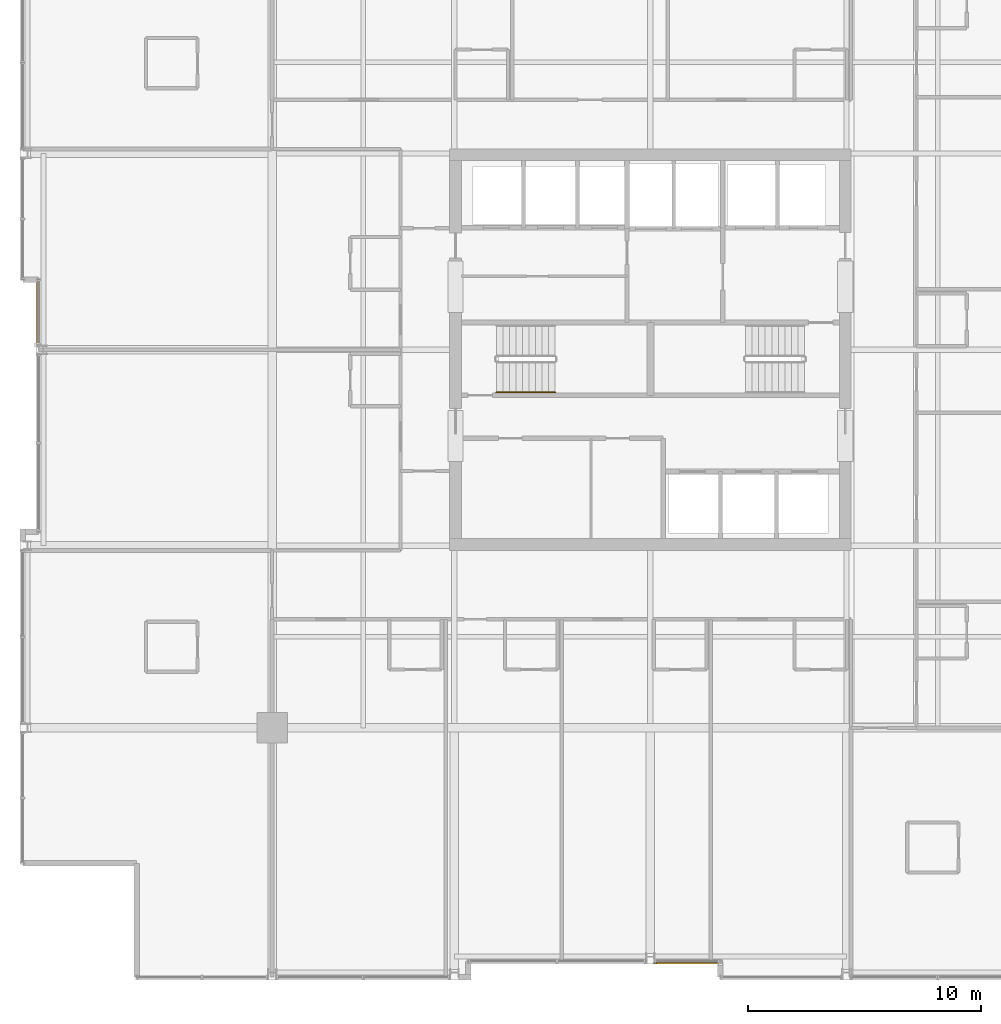
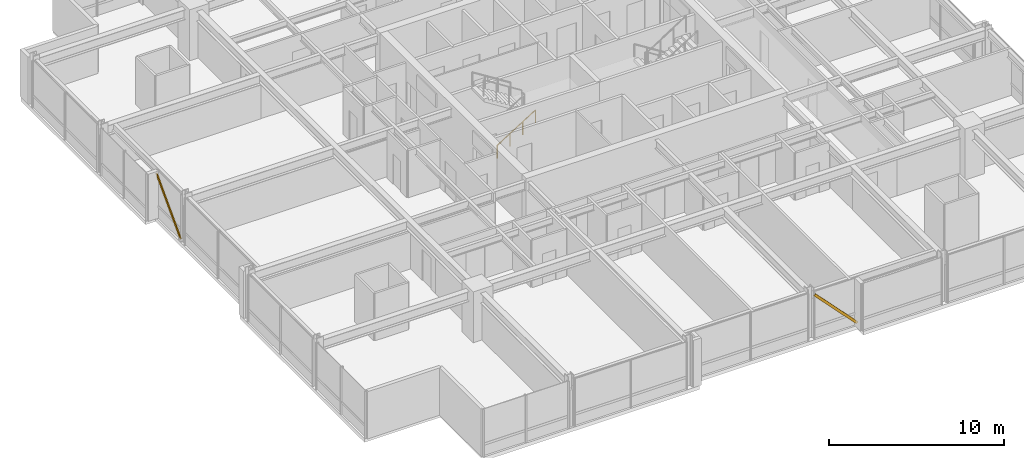
# One storey, part 32 of 34: 2 shading devices, 1 railing.
"""IFC4 building model written with IfcOpenShell, lengths in metres."""

from ifc_helpers import new_model, si_unit, direction, frame, origin, origin_2d, place, context, subcontext, project, spatial, hollow_rectangle, circle, extrude, material, material_profile, profile_set, type_object, element, save


model = new_model("IFC4")

# Units and contexts
model_context = context("Model", 3, precision=1e-05, world=origin(), true_north=direction((0.0, 1.0)))
body_context = subcontext(model_context, "Body", "Model", "MODEL_VIEW")
ifc_project = project(units=[si_unit("LENGTHUNIT", "METRE"), si_unit("AREAUNIT", "SQUARE_METRE"), si_unit("VOLUMEUNIT", "CUBIC_METRE"), si_unit("PLANEANGLEUNIT", "RADIAN"), si_unit("MASSUNIT", "GRAM", prefix="KILO")], contexts=[model_context])

# Site, building, storey
site_placement = place(None, origin())
site = spatial("IfcSite", under=ifc_project, at=site_placement, CompositionType="ELEMENT")
building_placement = place(site_placement, origin())
building = spatial("IfcBuilding", under=site, at=building_placement, Name="Drelvath Grand Hotel", CompositionType="ELEMENT")
storey_placement = place(building_placement, frame((0.0, 0.0, 175.25)))
storey = spatial("IfcBuildingStorey", under=building, at=storey_placement, Name="L45", CompositionType="ELEMENT", Elevation=175.25)

# Railing
ifc_material_1 = material(Name="Painted Steel S275", Category="steel")
railing_type = type_object("IfcRailingType", Name="Core Stair Wall Handrail 900", PredefinedType="HANDRAIL", material=ifc_material_1)
railing_placement = place(storey_placement, frame((-6.60009765625, 25.169921875, 0.177490234375)))
element("IfcRailing", 1, at=railing_placement, inside=storey, type_object=railing_type, Name="L45 ST-1 stair handrail 1", PredefinedType="HANDRAIL", context=body_context, shape_type="SweptSolid", body=[
    extrude(circle(Radius=0.02392578125, at=origin_2d()), frame((0.0, 0.0, 0.8759765625), z_axis=(0.84460694969, 0.0, 0.535386869969), x_axis=(0.0, 1.0, 0.0)), (0.0, 0.0, 1.0), 2.983642578125),
    extrude(circle(Radius=0.02099609375, at=origin_2d()), origin(), (0.0, 0.0, 1.0), 0.851806640625),
    extrude(circle(Radius=0.02099609375, at=origin_2d()), frame((0.840087890625, 0.0, 0.532470703125)), (0.0, 0.0, 1.0), 0.851806640625),
    extrude(circle(Radius=0.02099609375, at=origin_2d()), frame((1.679931640625, 0.0, 1.06494140625)), (0.0, 0.0, 1.0), 0.851806640625),
    extrude(circle(Radius=0.02099609375, at=origin_2d()), frame((2.52001953125, 0.0, 1.597412109375)), (0.0, 0.0, 1.0), 0.851806640625),
])

# Shading devices
ifc_material_2 = material(Name="Brushed Pale-Silver Anodised Aluminium", Category="aluminium")
ifc_material_profile = material_profile(ifc_material_2, hollow_rectangle(XDim=0.06494140625, YDim=0.159912109375, WallThickness=0.00390625, at=origin_2d()), Name="HSS160X65X4")
ifc_profile_set = profile_set([ifc_material_profile], Name="Brushed Pale-Silver Anodised Aluminium")
shading_device_type = type_object("IfcShadingDeviceType", Name="Diagonal Solar Fin Pale-Silver Anodised HSS160X65X4", PredefinedType="USERDEFINED", material=ifc_profile_set)
for number, where, z_axis, x_axis, name in (
    (2, (-26.280029296875, 27.2001953125, 0.179931640625), (0.0, 0.690839577848, 0.723008075805), (-1.0, 0.0, 0.0), "L45 Diagonal Anodised Fin CW04-L45-WM2"),
    (3, (3.0, 0.719970703125, 0.179931640625), (-0.690839577848, 0.0, 0.723008075805), (0.0, -1.0, 0.0), "L45 Diagonal Anodised Fin CW04-L45-SM2"),
):
    element("IfcShadingDevice", number, at=place(storey_placement, frame(where, z_axis=z_axis, x_axis=x_axis)), inside=storey, type_object=shading_device_type, Name=name, ObjectType="FIN", PredefinedType="USERDEFINED", context=body_context, shape_type="SweptSolid", body=[
        extrude(hollow_rectangle(XDim=0.06494140625, YDim=0.159912109375, WallThickness=0.00390625, at=origin_2d()), origin(), (0.0, 0.0, 1.0), 4.052734375),
    ])

save(model, "model.ifc")
